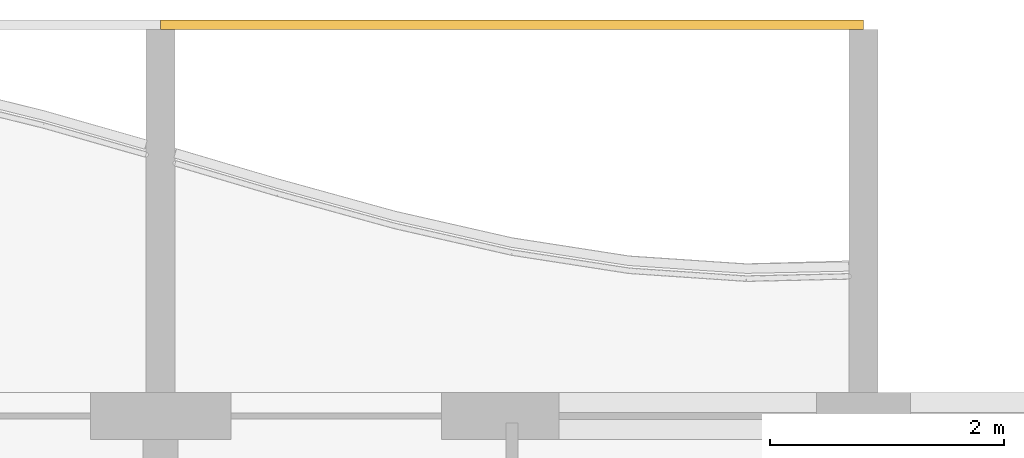
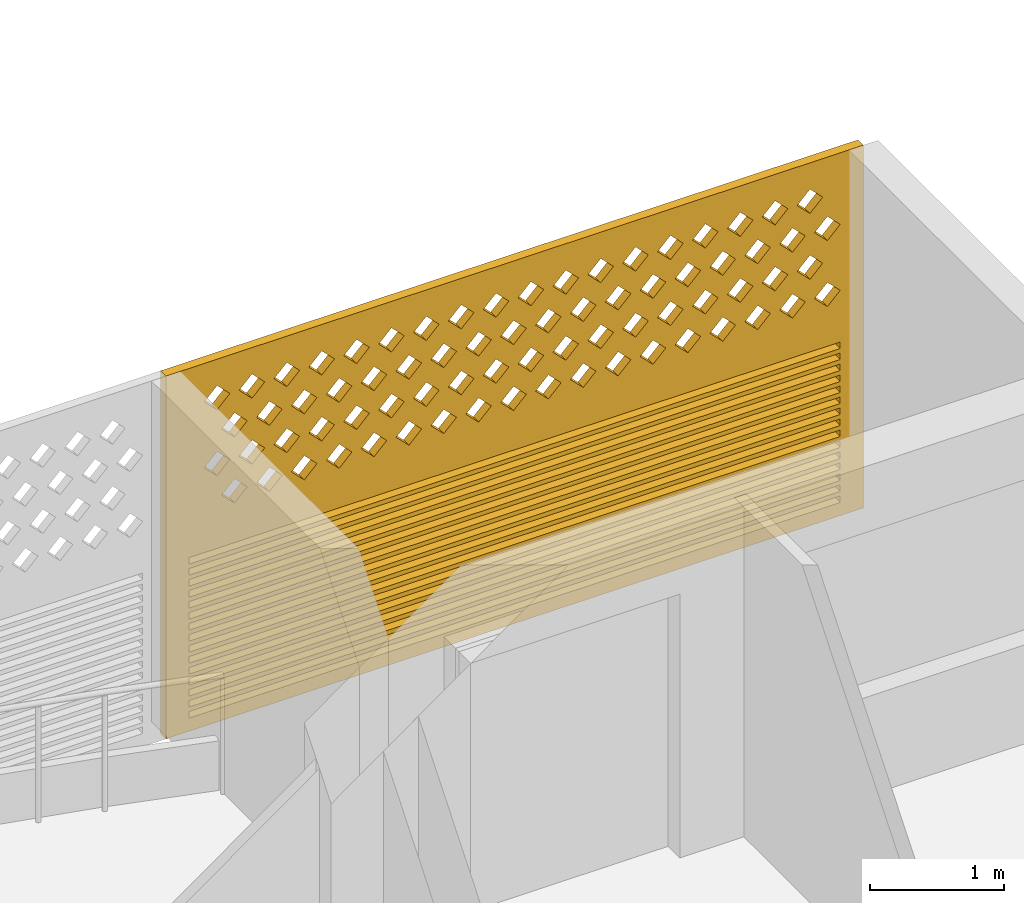
# One storey, part 22 of 32: 1 covering.
"""IFC4 building model written with IfcOpenShell, lengths in metres."""

from ifc_helpers import new_model, si_unit, direction, frame, origin, place, context, subcontext, project, spatial, polyline, outline, extrude, source, transform, mapped, material, material_profile, profile_set, type_object, element, save


model = new_model("IFC4")

# Units and contexts
model_context = context("Model", 3, precision=1e-05, world=origin(), true_north=direction((0.0, 1.0)))
body_context = subcontext(model_context, "Body", "Model", "MODEL_VIEW")
ifc_project = project(units=[si_unit("LENGTHUNIT", "METRE"), si_unit("AREAUNIT", "SQUARE_METRE"), si_unit("VOLUMEUNIT", "CUBIC_METRE"), si_unit("PLANEANGLEUNIT", "RADIAN"), si_unit("MASSUNIT", "GRAM", prefix="KILO")], contexts=[model_context])

# Site, building, storey
site_placement = place(None, origin())
site = spatial("IfcSite", under=ifc_project, at=site_placement, CompositionType="ELEMENT")
building_placement = place(site_placement, origin())
building = spatial("IfcBuilding", under=site, at=building_placement, Name="Poui Terraces", CompositionType="ELEMENT")
storey_placement = place(building_placement, frame((0.0, 0.0, 155.39990234375)))
storey = spatial("IfcBuildingStorey", under=building, at=storey_placement, Name="L43", CompositionType="ELEMENT", Elevation=155.39990234375)

# Covering
ifc_material = material(Name="Terracotta screen", Category="masonry")
ifc_material_profile = material_profile(ifc_material, outline(polyline([(-3.0, -1.64990234375), (3.0, -1.64990234375), (3.0, 1.64990234375), (-3.0, 1.64990234375), (-3.0, -1.64990234375)]), holes=[polyline([(-2.800048828125, 0.39990234375), (-2.68994140625, 0.2900390625), (-2.580078125, 0.39990234375), (-2.68994140625, 0.510009765625), (-2.800048828125, 0.39990234375)]), polyline([(-2.5, 0.39990234375), (-2.389892578125, 0.2900390625), (-2.280029296875, 0.39990234375), (-2.389892578125, 0.510009765625), (-2.5, 0.39990234375)]), polyline([(-2.199951171875, 0.39990234375), (-2.090087890625, 0.2900390625), (-1.97998046875, 0.39990234375), (-2.090087890625, 0.510009765625), (-2.199951171875, 0.39990234375)]), polyline([(-1.89990234375, 0.39990234375), (-1.7900390625, 0.2900390625), (-1.679931640625, 0.39990234375), (-1.7900390625, 0.510009765625), (-1.89990234375, 0.39990234375)]), polyline([(-1.60009765625, 0.39990234375), (-1.489990234375, 0.2900390625), (-1.3798828125, 0.39990234375), (-1.489990234375, 0.510009765625), (-1.60009765625, 0.39990234375)]), polyline([(-1.300048828125, 0.39990234375), (-1.18994140625, 0.2900390625), (-1.080078125, 0.39990234375), (-1.18994140625, 0.510009765625), (-1.300048828125, 0.39990234375)]), polyline([(-1.0, 0.39990234375), (-0.889892578125, 0.2900390625), (-0.780029296875, 0.39990234375), (-0.889892578125, 0.510009765625), (-1.0, 0.39990234375)]), polyline([(-0.699951171875, 0.39990234375), (-0.590087890625, 0.2900390625), (-0.47998046875, 0.39990234375), (-0.590087890625, 0.510009765625), (-0.699951171875, 0.39990234375)]), polyline([(-0.39990234375, 0.39990234375), (-0.2900390625, 0.2900390625), (-0.179931640625, 0.39990234375), (-0.2900390625, 0.510009765625), (-0.39990234375, 0.39990234375)]), polyline([(-0.10009765625, 0.39990234375), (0.010009765625, 0.2900390625), (0.1201171875, 0.39990234375), (0.010009765625, 0.510009765625), (-0.10009765625, 0.39990234375)]), polyline([(0.199951171875, 0.39990234375), (0.31005859375, 0.2900390625), (0.419921875, 0.39990234375), (0.31005859375, 0.510009765625), (0.199951171875, 0.39990234375)]), polyline([(0.5, 0.39990234375), (0.610107421875, 0.2900390625), (0.719970703125, 0.39990234375), (0.610107421875, 0.510009765625), (0.5, 0.39990234375)]), polyline([(0.800048828125, 0.39990234375), (0.909912109375, 0.2900390625), (1.02001953125, 0.39990234375), (0.909912109375, 0.510009765625), (0.800048828125, 0.39990234375)]), polyline([(1.10009765625, 0.39990234375), (1.2099609375, 0.2900390625), (1.320068359375, 0.39990234375), (1.2099609375, 0.510009765625), (1.10009765625, 0.39990234375)]), polyline([(1.39990234375, 0.39990234375), (1.510009765625, 0.2900390625), (1.6201171875, 0.39990234375), (1.510009765625, 0.510009765625), (1.39990234375, 0.39990234375)]), polyline([(1.699951171875, 0.39990234375), (1.81005859375, 0.2900390625), (1.919921875, 0.39990234375), (1.81005859375, 0.510009765625), (1.699951171875, 0.39990234375)]), polyline([(2.0, 0.39990234375), (2.110107421875, 0.2900390625), (2.219970703125, 0.39990234375), (2.110107421875, 0.510009765625), (2.0, 0.39990234375)]), polyline([(2.300048828125, 0.39990234375), (2.409912109375, 0.2900390625), (2.52001953125, 0.39990234375), (2.409912109375, 0.510009765625), (2.300048828125, 0.39990234375)]), polyline([(-2.64990234375, 0.699951171875), (-2.5400390625, 0.590087890625), (-2.429931640625, 0.699951171875), (-2.5400390625, 0.81005859375), (-2.64990234375, 0.699951171875)]), polyline([(-2.35009765625, 0.699951171875), (-2.239990234375, 0.590087890625), (-2.1298828125, 0.699951171875), (-2.239990234375, 0.81005859375), (-2.35009765625, 0.699951171875)]), polyline([(-2.050048828125, 0.699951171875), (-1.93994140625, 0.590087890625), (-1.830078125, 0.699951171875), (-1.93994140625, 0.81005859375), (-2.050048828125, 0.699951171875)]), polyline([(-1.75, 0.699951171875), (-1.639892578125, 0.590087890625), (-1.530029296875, 0.699951171875), (-1.639892578125, 0.81005859375), (-1.75, 0.699951171875)]), polyline([(-1.449951171875, 0.699951171875), (-1.340087890625, 0.590087890625), (-1.22998046875, 0.699951171875), (-1.340087890625, 0.81005859375), (-1.449951171875, 0.699951171875)]), polyline([(-1.14990234375, 0.699951171875), (-1.0400390625, 0.590087890625), (-0.929931640625, 0.699951171875), (-1.0400390625, 0.81005859375), (-1.14990234375, 0.699951171875)]), polyline([(-0.85009765625, 0.699951171875), (-0.739990234375, 0.590087890625), (-0.6298828125, 0.699951171875), (-0.739990234375, 0.81005859375), (-0.85009765625, 0.699951171875)]), polyline([(-0.550048828125, 0.699951171875), (-0.43994140625, 0.590087890625), (-0.330078125, 0.699951171875), (-0.43994140625, 0.81005859375), (-0.550048828125, 0.699951171875)]), polyline([(-0.25, 0.699951171875), (-0.139892578125, 0.590087890625), (-0.030029296875, 0.699951171875), (-0.139892578125, 0.81005859375), (-0.25, 0.699951171875)]), polyline([(0.050048828125, 0.699951171875), (0.159912109375, 0.590087890625), (0.27001953125, 0.699951171875), (0.159912109375, 0.81005859375), (0.050048828125, 0.699951171875)]), polyline([(0.35009765625, 0.699951171875), (0.4599609375, 0.590087890625), (0.570068359375, 0.699951171875), (0.4599609375, 0.81005859375), (0.35009765625, 0.699951171875)]), polyline([(0.64990234375, 0.699951171875), (0.760009765625, 0.590087890625), (0.8701171875, 0.699951171875), (0.760009765625, 0.81005859375), (0.64990234375, 0.699951171875)]), polyline([(0.949951171875, 0.699951171875), (1.06005859375, 0.590087890625), (1.169921875, 0.699951171875), (1.06005859375, 0.81005859375), (0.949951171875, 0.699951171875)]), polyline([(1.25, 0.699951171875), (1.360107421875, 0.590087890625), (1.469970703125, 0.699951171875), (1.360107421875, 0.81005859375), (1.25, 0.699951171875)]), polyline([(1.550048828125, 0.699951171875), (1.659912109375, 0.590087890625), (1.77001953125, 0.699951171875), (1.659912109375, 0.81005859375), (1.550048828125, 0.699951171875)]), polyline([(1.85009765625, 0.699951171875), (1.9599609375, 0.590087890625), (2.070068359375, 0.699951171875), (1.9599609375, 0.81005859375), (1.85009765625, 0.699951171875)]), polyline([(2.14990234375, 0.699951171875), (2.260009765625, 0.590087890625), (2.3701171875, 0.699951171875), (2.260009765625, 0.81005859375), (2.14990234375, 0.699951171875)]), polyline([(2.449951171875, 0.699951171875), (2.56005859375, 0.590087890625), (2.669921875, 0.699951171875), (2.56005859375, 0.81005859375), (2.449951171875, 0.699951171875)]), polyline([(-2.800048828125, 1.0), (-2.68994140625, 0.889892578125), (-2.580078125, 1.0), (-2.68994140625, 1.110107421875), (-2.800048828125, 1.0)]), polyline([(-2.5, 1.0), (-2.389892578125, 0.889892578125), (-2.280029296875, 1.0), (-2.389892578125, 1.110107421875), (-2.5, 1.0)]), polyline([(-2.199951171875, 1.0), (-2.090087890625, 0.889892578125), (-1.97998046875, 1.0), (-2.090087890625, 1.110107421875), (-2.199951171875, 1.0)]), polyline([(-1.89990234375, 1.0), (-1.7900390625, 0.889892578125), (-1.679931640625, 1.0), (-1.7900390625, 1.110107421875), (-1.89990234375, 1.0)]), polyline([(-1.60009765625, 1.0), (-1.489990234375, 0.889892578125), (-1.3798828125, 1.0), (-1.489990234375, 1.110107421875), (-1.60009765625, 1.0)]), polyline([(-1.300048828125, 1.0), (-1.18994140625, 0.889892578125), (-1.080078125, 1.0), (-1.18994140625, 1.110107421875), (-1.300048828125, 1.0)]), polyline([(-1.0, 1.0), (-0.889892578125, 0.889892578125), (-0.780029296875, 1.0), (-0.889892578125, 1.110107421875), (-1.0, 1.0)]), polyline([(-0.699951171875, 1.0), (-0.590087890625, 0.889892578125), (-0.47998046875, 1.0), (-0.590087890625, 1.110107421875), (-0.699951171875, 1.0)]), polyline([(-0.39990234375, 1.0), (-0.2900390625, 0.889892578125), (-0.179931640625, 1.0), (-0.2900390625, 1.110107421875), (-0.39990234375, 1.0)]), polyline([(-0.10009765625, 1.0), (0.010009765625, 0.889892578125), (0.1201171875, 1.0), (0.010009765625, 1.110107421875), (-0.10009765625, 1.0)]), polyline([(0.199951171875, 1.0), (0.31005859375, 0.889892578125), (0.419921875, 1.0), (0.31005859375, 1.110107421875), (0.199951171875, 1.0)]), polyline([(0.5, 1.0), (0.610107421875, 0.889892578125), (0.719970703125, 1.0), (0.610107421875, 1.110107421875), (0.5, 1.0)]), polyline([(0.800048828125, 1.0), (0.909912109375, 0.889892578125), (1.02001953125, 1.0), (0.909912109375, 1.110107421875), (0.800048828125, 1.0)]), polyline([(1.10009765625, 1.0), (1.2099609375, 0.889892578125), (1.320068359375, 1.0), (1.2099609375, 1.110107421875), (1.10009765625, 1.0)]), polyline([(1.39990234375, 1.0), (1.510009765625, 0.889892578125), (1.6201171875, 1.0), (1.510009765625, 1.110107421875), (1.39990234375, 1.0)]), polyline([(1.699951171875, 1.0), (1.81005859375, 0.889892578125), (1.919921875, 1.0), (1.81005859375, 1.110107421875), (1.699951171875, 1.0)]), polyline([(2.0, 1.0), (2.110107421875, 0.889892578125), (2.219970703125, 1.0), (2.110107421875, 1.110107421875), (2.0, 1.0)]), polyline([(2.300048828125, 1.0), (2.409912109375, 0.889892578125), (2.52001953125, 1.0), (2.409912109375, 1.110107421875), (2.300048828125, 1.0)]), polyline([(-2.64990234375, 1.300048828125), (-2.5400390625, 1.18994140625), (-2.429931640625, 1.300048828125), (-2.5400390625, 1.409912109375), (-2.64990234375, 1.300048828125)]), polyline([(-2.35009765625, 1.300048828125), (-2.239990234375, 1.18994140625), (-2.1298828125, 1.300048828125), (-2.239990234375, 1.409912109375), (-2.35009765625, 1.300048828125)]), polyline([(-2.050048828125, 1.300048828125), (-1.93994140625, 1.18994140625), (-1.830078125, 1.300048828125), (-1.93994140625, 1.409912109375), (-2.050048828125, 1.300048828125)]), polyline([(-1.75, 1.300048828125), (-1.639892578125, 1.18994140625), (-1.530029296875, 1.300048828125), (-1.639892578125, 1.409912109375), (-1.75, 1.300048828125)]), polyline([(-1.449951171875, 1.300048828125), (-1.340087890625, 1.18994140625), (-1.22998046875, 1.300048828125), (-1.340087890625, 1.409912109375), (-1.449951171875, 1.300048828125)]), polyline([(-1.14990234375, 1.300048828125), (-1.0400390625, 1.18994140625), (-0.929931640625, 1.300048828125), (-1.0400390625, 1.409912109375), (-1.14990234375, 1.300048828125)]), polyline([(-0.85009765625, 1.300048828125), (-0.739990234375, 1.18994140625), (-0.6298828125, 1.300048828125), (-0.739990234375, 1.409912109375), (-0.85009765625, 1.300048828125)]), polyline([(-0.550048828125, 1.300048828125), (-0.43994140625, 1.18994140625), (-0.330078125, 1.300048828125), (-0.43994140625, 1.409912109375), (-0.550048828125, 1.300048828125)]), polyline([(-0.25, 1.300048828125), (-0.139892578125, 1.18994140625), (-0.030029296875, 1.300048828125), (-0.139892578125, 1.409912109375), (-0.25, 1.300048828125)]), polyline([(0.050048828125, 1.300048828125), (0.159912109375, 1.18994140625), (0.27001953125, 1.300048828125), (0.159912109375, 1.409912109375), (0.050048828125, 1.300048828125)]), polyline([(0.35009765625, 1.300048828125), (0.4599609375, 1.18994140625), (0.570068359375, 1.300048828125), (0.4599609375, 1.409912109375), (0.35009765625, 1.300048828125)]), polyline([(0.64990234375, 1.300048828125), (0.760009765625, 1.18994140625), (0.8701171875, 1.300048828125), (0.760009765625, 1.409912109375), (0.64990234375, 1.300048828125)]), polyline([(0.949951171875, 1.300048828125), (1.06005859375, 1.18994140625), (1.169921875, 1.300048828125), (1.06005859375, 1.409912109375), (0.949951171875, 1.300048828125)]), polyline([(1.25, 1.300048828125), (1.360107421875, 1.18994140625), (1.469970703125, 1.300048828125), (1.360107421875, 1.409912109375), (1.25, 1.300048828125)]), polyline([(1.550048828125, 1.300048828125), (1.659912109375, 1.18994140625), (1.77001953125, 1.300048828125), (1.659912109375, 1.409912109375), (1.550048828125, 1.300048828125)]), polyline([(1.85009765625, 1.300048828125), (1.9599609375, 1.18994140625), (2.070068359375, 1.300048828125), (1.9599609375, 1.409912109375), (1.85009765625, 1.300048828125)]), polyline([(2.14990234375, 1.300048828125), (2.260009765625, 1.18994140625), (2.3701171875, 1.300048828125), (2.260009765625, 1.409912109375), (2.14990234375, 1.300048828125)]), polyline([(2.449951171875, 1.300048828125), (2.56005859375, 1.18994140625), (2.669921875, 1.300048828125), (2.56005859375, 1.409912109375), (2.449951171875, 1.300048828125)]), polyline([(-2.800048828125, -1.530029296875), (2.800048828125, -1.530029296875), (2.800048828125, -1.469970703125), (-2.800048828125, -1.469970703125), (-2.800048828125, -1.530029296875)]), polyline([(-2.800048828125, -1.429931640625), (2.800048828125, -1.429931640625), (2.800048828125, -1.3701171875), (-2.800048828125, -1.3701171875), (-2.800048828125, -1.429931640625)]), polyline([(-2.800048828125, -1.330078125), (2.800048828125, -1.330078125), (2.800048828125, -1.27001953125), (-2.800048828125, -1.27001953125), (-2.800048828125, -1.330078125)]), polyline([(-2.800048828125, -1.22998046875), (2.800048828125, -1.22998046875), (2.800048828125, -1.169921875), (-2.800048828125, -1.169921875), (-2.800048828125, -1.22998046875)]), polyline([(-2.800048828125, -1.1298828125), (2.800048828125, -1.1298828125), (2.800048828125, -1.070068359375), (-2.800048828125, -1.070068359375), (-2.800048828125, -1.1298828125)]), polyline([(-2.800048828125, -1.030029296875), (2.800048828125, -1.030029296875), (2.800048828125, -0.969970703125), (-2.800048828125, -0.969970703125), (-2.800048828125, -1.030029296875)]), polyline([(-2.800048828125, -0.929931640625), (2.800048828125, -0.929931640625), (2.800048828125, -0.8701171875), (-2.800048828125, -0.8701171875), (-2.800048828125, -0.929931640625)]), polyline([(-2.800048828125, -0.830078125), (2.800048828125, -0.830078125), (2.800048828125, -0.77001953125), (-2.800048828125, -0.77001953125), (-2.800048828125, -0.830078125)]), polyline([(-2.800048828125, -0.72998046875), (2.800048828125, -0.72998046875), (2.800048828125, -0.669921875), (-2.800048828125, -0.669921875), (-2.800048828125, -0.72998046875)]), polyline([(-2.800048828125, -0.6298828125), (2.800048828125, -0.6298828125), (2.800048828125, -0.570068359375), (-2.800048828125, -0.570068359375), (-2.800048828125, -0.6298828125)]), polyline([(-2.800048828125, -0.530029296875), (2.800048828125, -0.530029296875), (2.800048828125, -0.469970703125), (-2.800048828125, -0.469970703125), (-2.800048828125, -0.530029296875)]), polyline([(-2.800048828125, -0.429931640625), (2.800048828125, -0.429931640625), (2.800048828125, -0.3701171875), (-2.800048828125, -0.3701171875), (-2.800048828125, -0.429931640625)]), polyline([(-2.800048828125, -0.330078125), (2.800048828125, -0.330078125), (2.800048828125, -0.27001953125), (-2.800048828125, -0.27001953125), (-2.800048828125, -0.330078125)]), polyline([(-2.800048828125, -0.22998046875), (2.800048828125, -0.22998046875), (2.800048828125, -0.169921875), (-2.800048828125, -0.169921875), (-2.800048828125, -0.22998046875)]), polyline([(-2.800048828125, -0.1298828125), (2.800048828125, -0.1298828125), (2.800048828125, -0.070068359375), (-2.800048828125, -0.070068359375), (-2.800048828125, -0.1298828125)])]), Name="TERRACOTTA SCREEN AND JALOUSIE LOUVRE 6000X3300")
ifc_profile_set = profile_set([ifc_material_profile], Name="Terracotta screen")
covering_type = type_object("IfcCoveringType", Name="TERRACOTTA SCREEN AND JALOUSIE LOUVRE 6000X3300", PredefinedType="CLADDING", material=ifc_profile_set)
shared_shape = source(origin(), body_context, "Body", "SweptSolid", [
    extrude(outline(polyline([(-3.0, -1.64990234375), (3.0, -1.64990234375), (3.0, 1.64990234375), (-3.0, 1.64990234375), (-3.0, -1.64990234375)]), holes=[polyline([(-2.800048828125, 0.39990234375), (-2.68994140625, 0.2900390625), (-2.580078125, 0.39990234375), (-2.68994140625, 0.510009765625), (-2.800048828125, 0.39990234375)]), polyline([(-2.5, 0.39990234375), (-2.389892578125, 0.2900390625), (-2.280029296875, 0.39990234375), (-2.389892578125, 0.510009765625), (-2.5, 0.39990234375)]), polyline([(-2.199951171875, 0.39990234375), (-2.090087890625, 0.2900390625), (-1.97998046875, 0.39990234375), (-2.090087890625, 0.510009765625), (-2.199951171875, 0.39990234375)]), polyline([(-1.89990234375, 0.39990234375), (-1.7900390625, 0.2900390625), (-1.679931640625, 0.39990234375), (-1.7900390625, 0.510009765625), (-1.89990234375, 0.39990234375)]), polyline([(-1.60009765625, 0.39990234375), (-1.489990234375, 0.2900390625), (-1.3798828125, 0.39990234375), (-1.489990234375, 0.510009765625), (-1.60009765625, 0.39990234375)]), polyline([(-1.300048828125, 0.39990234375), (-1.18994140625, 0.2900390625), (-1.080078125, 0.39990234375), (-1.18994140625, 0.510009765625), (-1.300048828125, 0.39990234375)]), polyline([(-1.0, 0.39990234375), (-0.889892578125, 0.2900390625), (-0.780029296875, 0.39990234375), (-0.889892578125, 0.510009765625), (-1.0, 0.39990234375)]), polyline([(-0.699951171875, 0.39990234375), (-0.590087890625, 0.2900390625), (-0.47998046875, 0.39990234375), (-0.590087890625, 0.510009765625), (-0.699951171875, 0.39990234375)]), polyline([(-0.39990234375, 0.39990234375), (-0.2900390625, 0.2900390625), (-0.179931640625, 0.39990234375), (-0.2900390625, 0.510009765625), (-0.39990234375, 0.39990234375)]), polyline([(-0.10009765625, 0.39990234375), (0.010009765625, 0.2900390625), (0.1201171875, 0.39990234375), (0.010009765625, 0.510009765625), (-0.10009765625, 0.39990234375)]), polyline([(0.199951171875, 0.39990234375), (0.31005859375, 0.2900390625), (0.419921875, 0.39990234375), (0.31005859375, 0.510009765625), (0.199951171875, 0.39990234375)]), polyline([(0.5, 0.39990234375), (0.610107421875, 0.2900390625), (0.719970703125, 0.39990234375), (0.610107421875, 0.510009765625), (0.5, 0.39990234375)]), polyline([(0.800048828125, 0.39990234375), (0.909912109375, 0.2900390625), (1.02001953125, 0.39990234375), (0.909912109375, 0.510009765625), (0.800048828125, 0.39990234375)]), polyline([(1.10009765625, 0.39990234375), (1.2099609375, 0.2900390625), (1.320068359375, 0.39990234375), (1.2099609375, 0.510009765625), (1.10009765625, 0.39990234375)]), polyline([(1.39990234375, 0.39990234375), (1.510009765625, 0.2900390625), (1.6201171875, 0.39990234375), (1.510009765625, 0.510009765625), (1.39990234375, 0.39990234375)]), polyline([(1.699951171875, 0.39990234375), (1.81005859375, 0.2900390625), (1.919921875, 0.39990234375), (1.81005859375, 0.510009765625), (1.699951171875, 0.39990234375)]), polyline([(2.0, 0.39990234375), (2.110107421875, 0.2900390625), (2.219970703125, 0.39990234375), (2.110107421875, 0.510009765625), (2.0, 0.39990234375)]), polyline([(2.300048828125, 0.39990234375), (2.409912109375, 0.2900390625), (2.52001953125, 0.39990234375), (2.409912109375, 0.510009765625), (2.300048828125, 0.39990234375)]), polyline([(-2.64990234375, 0.699951171875), (-2.5400390625, 0.590087890625), (-2.429931640625, 0.699951171875), (-2.5400390625, 0.81005859375), (-2.64990234375, 0.699951171875)]), polyline([(-2.35009765625, 0.699951171875), (-2.239990234375, 0.590087890625), (-2.1298828125, 0.699951171875), (-2.239990234375, 0.81005859375), (-2.35009765625, 0.699951171875)]), polyline([(-2.050048828125, 0.699951171875), (-1.93994140625, 0.590087890625), (-1.830078125, 0.699951171875), (-1.93994140625, 0.81005859375), (-2.050048828125, 0.699951171875)]), polyline([(-1.75, 0.699951171875), (-1.639892578125, 0.590087890625), (-1.530029296875, 0.699951171875), (-1.639892578125, 0.81005859375), (-1.75, 0.699951171875)]), polyline([(-1.449951171875, 0.699951171875), (-1.340087890625, 0.590087890625), (-1.22998046875, 0.699951171875), (-1.340087890625, 0.81005859375), (-1.449951171875, 0.699951171875)]), polyline([(-1.14990234375, 0.699951171875), (-1.0400390625, 0.590087890625), (-0.929931640625, 0.699951171875), (-1.0400390625, 0.81005859375), (-1.14990234375, 0.699951171875)]), polyline([(-0.85009765625, 0.699951171875), (-0.739990234375, 0.590087890625), (-0.6298828125, 0.699951171875), (-0.739990234375, 0.81005859375), (-0.85009765625, 0.699951171875)]), polyline([(-0.550048828125, 0.699951171875), (-0.43994140625, 0.590087890625), (-0.330078125, 0.699951171875), (-0.43994140625, 0.81005859375), (-0.550048828125, 0.699951171875)]), polyline([(-0.25, 0.699951171875), (-0.139892578125, 0.590087890625), (-0.030029296875, 0.699951171875), (-0.139892578125, 0.81005859375), (-0.25, 0.699951171875)]), polyline([(0.050048828125, 0.699951171875), (0.159912109375, 0.590087890625), (0.27001953125, 0.699951171875), (0.159912109375, 0.81005859375), (0.050048828125, 0.699951171875)]), polyline([(0.35009765625, 0.699951171875), (0.4599609375, 0.590087890625), (0.570068359375, 0.699951171875), (0.4599609375, 0.81005859375), (0.35009765625, 0.699951171875)]), polyline([(0.64990234375, 0.699951171875), (0.760009765625, 0.590087890625), (0.8701171875, 0.699951171875), (0.760009765625, 0.81005859375), (0.64990234375, 0.699951171875)]), polyline([(0.949951171875, 0.699951171875), (1.06005859375, 0.590087890625), (1.169921875, 0.699951171875), (1.06005859375, 0.81005859375), (0.949951171875, 0.699951171875)]), polyline([(1.25, 0.699951171875), (1.360107421875, 0.590087890625), (1.469970703125, 0.699951171875), (1.360107421875, 0.81005859375), (1.25, 0.699951171875)]), polyline([(1.550048828125, 0.699951171875), (1.659912109375, 0.590087890625), (1.77001953125, 0.699951171875), (1.659912109375, 0.81005859375), (1.550048828125, 0.699951171875)]), polyline([(1.85009765625, 0.699951171875), (1.9599609375, 0.590087890625), (2.070068359375, 0.699951171875), (1.9599609375, 0.81005859375), (1.85009765625, 0.699951171875)]), polyline([(2.14990234375, 0.699951171875), (2.260009765625, 0.590087890625), (2.3701171875, 0.699951171875), (2.260009765625, 0.81005859375), (2.14990234375, 0.699951171875)]), polyline([(2.449951171875, 0.699951171875), (2.56005859375, 0.590087890625), (2.669921875, 0.699951171875), (2.56005859375, 0.81005859375), (2.449951171875, 0.699951171875)]), polyline([(-2.800048828125, 1.0), (-2.68994140625, 0.889892578125), (-2.580078125, 1.0), (-2.68994140625, 1.110107421875), (-2.800048828125, 1.0)]), polyline([(-2.5, 1.0), (-2.389892578125, 0.889892578125), (-2.280029296875, 1.0), (-2.389892578125, 1.110107421875), (-2.5, 1.0)]), polyline([(-2.199951171875, 1.0), (-2.090087890625, 0.889892578125), (-1.97998046875, 1.0), (-2.090087890625, 1.110107421875), (-2.199951171875, 1.0)]), polyline([(-1.89990234375, 1.0), (-1.7900390625, 0.889892578125), (-1.679931640625, 1.0), (-1.7900390625, 1.110107421875), (-1.89990234375, 1.0)]), polyline([(-1.60009765625, 1.0), (-1.489990234375, 0.889892578125), (-1.3798828125, 1.0), (-1.489990234375, 1.110107421875), (-1.60009765625, 1.0)]), polyline([(-1.300048828125, 1.0), (-1.18994140625, 0.889892578125), (-1.080078125, 1.0), (-1.18994140625, 1.110107421875), (-1.300048828125, 1.0)]), polyline([(-1.0, 1.0), (-0.889892578125, 0.889892578125), (-0.780029296875, 1.0), (-0.889892578125, 1.110107421875), (-1.0, 1.0)]), polyline([(-0.699951171875, 1.0), (-0.590087890625, 0.889892578125), (-0.47998046875, 1.0), (-0.590087890625, 1.110107421875), (-0.699951171875, 1.0)]), polyline([(-0.39990234375, 1.0), (-0.2900390625, 0.889892578125), (-0.179931640625, 1.0), (-0.2900390625, 1.110107421875), (-0.39990234375, 1.0)]), polyline([(-0.10009765625, 1.0), (0.010009765625, 0.889892578125), (0.1201171875, 1.0), (0.010009765625, 1.110107421875), (-0.10009765625, 1.0)]), polyline([(0.199951171875, 1.0), (0.31005859375, 0.889892578125), (0.419921875, 1.0), (0.31005859375, 1.110107421875), (0.199951171875, 1.0)]), polyline([(0.5, 1.0), (0.610107421875, 0.889892578125), (0.719970703125, 1.0), (0.610107421875, 1.110107421875), (0.5, 1.0)]), polyline([(0.800048828125, 1.0), (0.909912109375, 0.889892578125), (1.02001953125, 1.0), (0.909912109375, 1.110107421875), (0.800048828125, 1.0)]), polyline([(1.10009765625, 1.0), (1.2099609375, 0.889892578125), (1.320068359375, 1.0), (1.2099609375, 1.110107421875), (1.10009765625, 1.0)]), polyline([(1.39990234375, 1.0), (1.510009765625, 0.889892578125), (1.6201171875, 1.0), (1.510009765625, 1.110107421875), (1.39990234375, 1.0)]), polyline([(1.699951171875, 1.0), (1.81005859375, 0.889892578125), (1.919921875, 1.0), (1.81005859375, 1.110107421875), (1.699951171875, 1.0)]), polyline([(2.0, 1.0), (2.110107421875, 0.889892578125), (2.219970703125, 1.0), (2.110107421875, 1.110107421875), (2.0, 1.0)]), polyline([(2.300048828125, 1.0), (2.409912109375, 0.889892578125), (2.52001953125, 1.0), (2.409912109375, 1.110107421875), (2.300048828125, 1.0)]), polyline([(-2.64990234375, 1.300048828125), (-2.5400390625, 1.18994140625), (-2.429931640625, 1.300048828125), (-2.5400390625, 1.409912109375), (-2.64990234375, 1.300048828125)]), polyline([(-2.35009765625, 1.300048828125), (-2.239990234375, 1.18994140625), (-2.1298828125, 1.300048828125), (-2.239990234375, 1.409912109375), (-2.35009765625, 1.300048828125)]), polyline([(-2.050048828125, 1.300048828125), (-1.93994140625, 1.18994140625), (-1.830078125, 1.300048828125), (-1.93994140625, 1.409912109375), (-2.050048828125, 1.300048828125)]), polyline([(-1.75, 1.300048828125), (-1.639892578125, 1.18994140625), (-1.530029296875, 1.300048828125), (-1.639892578125, 1.409912109375), (-1.75, 1.300048828125)]), polyline([(-1.449951171875, 1.300048828125), (-1.340087890625, 1.18994140625), (-1.22998046875, 1.300048828125), (-1.340087890625, 1.409912109375), (-1.449951171875, 1.300048828125)]), polyline([(-1.14990234375, 1.300048828125), (-1.0400390625, 1.18994140625), (-0.929931640625, 1.300048828125), (-1.0400390625, 1.409912109375), (-1.14990234375, 1.300048828125)]), polyline([(-0.85009765625, 1.300048828125), (-0.739990234375, 1.18994140625), (-0.6298828125, 1.300048828125), (-0.739990234375, 1.409912109375), (-0.85009765625, 1.300048828125)]), polyline([(-0.550048828125, 1.300048828125), (-0.43994140625, 1.18994140625), (-0.330078125, 1.300048828125), (-0.43994140625, 1.409912109375), (-0.550048828125, 1.300048828125)]), polyline([(-0.25, 1.300048828125), (-0.139892578125, 1.18994140625), (-0.030029296875, 1.300048828125), (-0.139892578125, 1.409912109375), (-0.25, 1.300048828125)]), polyline([(0.050048828125, 1.300048828125), (0.159912109375, 1.18994140625), (0.27001953125, 1.300048828125), (0.159912109375, 1.409912109375), (0.050048828125, 1.300048828125)]), polyline([(0.35009765625, 1.300048828125), (0.4599609375, 1.18994140625), (0.570068359375, 1.300048828125), (0.4599609375, 1.409912109375), (0.35009765625, 1.300048828125)]), polyline([(0.64990234375, 1.300048828125), (0.760009765625, 1.18994140625), (0.8701171875, 1.300048828125), (0.760009765625, 1.409912109375), (0.64990234375, 1.300048828125)]), polyline([(0.949951171875, 1.300048828125), (1.06005859375, 1.18994140625), (1.169921875, 1.300048828125), (1.06005859375, 1.409912109375), (0.949951171875, 1.300048828125)]), polyline([(1.25, 1.300048828125), (1.360107421875, 1.18994140625), (1.469970703125, 1.300048828125), (1.360107421875, 1.409912109375), (1.25, 1.300048828125)]), polyline([(1.550048828125, 1.300048828125), (1.659912109375, 1.18994140625), (1.77001953125, 1.300048828125), (1.659912109375, 1.409912109375), (1.550048828125, 1.300048828125)]), polyline([(1.85009765625, 1.300048828125), (1.9599609375, 1.18994140625), (2.070068359375, 1.300048828125), (1.9599609375, 1.409912109375), (1.85009765625, 1.300048828125)]), polyline([(2.14990234375, 1.300048828125), (2.260009765625, 1.18994140625), (2.3701171875, 1.300048828125), (2.260009765625, 1.409912109375), (2.14990234375, 1.300048828125)]), polyline([(2.449951171875, 1.300048828125), (2.56005859375, 1.18994140625), (2.669921875, 1.300048828125), (2.56005859375, 1.409912109375), (2.449951171875, 1.300048828125)]), polyline([(-2.800048828125, -1.530029296875), (2.800048828125, -1.530029296875), (2.800048828125, -1.469970703125), (-2.800048828125, -1.469970703125), (-2.800048828125, -1.530029296875)]), polyline([(-2.800048828125, -1.429931640625), (2.800048828125, -1.429931640625), (2.800048828125, -1.3701171875), (-2.800048828125, -1.3701171875), (-2.800048828125, -1.429931640625)]), polyline([(-2.800048828125, -1.330078125), (2.800048828125, -1.330078125), (2.800048828125, -1.27001953125), (-2.800048828125, -1.27001953125), (-2.800048828125, -1.330078125)]), polyline([(-2.800048828125, -1.22998046875), (2.800048828125, -1.22998046875), (2.800048828125, -1.169921875), (-2.800048828125, -1.169921875), (-2.800048828125, -1.22998046875)]), polyline([(-2.800048828125, -1.1298828125), (2.800048828125, -1.1298828125), (2.800048828125, -1.070068359375), (-2.800048828125, -1.070068359375), (-2.800048828125, -1.1298828125)]), polyline([(-2.800048828125, -1.030029296875), (2.800048828125, -1.030029296875), (2.800048828125, -0.969970703125), (-2.800048828125, -0.969970703125), (-2.800048828125, -1.030029296875)]), polyline([(-2.800048828125, -0.929931640625), (2.800048828125, -0.929931640625), (2.800048828125, -0.8701171875), (-2.800048828125, -0.8701171875), (-2.800048828125, -0.929931640625)]), polyline([(-2.800048828125, -0.830078125), (2.800048828125, -0.830078125), (2.800048828125, -0.77001953125), (-2.800048828125, -0.77001953125), (-2.800048828125, -0.830078125)]), polyline([(-2.800048828125, -0.72998046875), (2.800048828125, -0.72998046875), (2.800048828125, -0.669921875), (-2.800048828125, -0.669921875), (-2.800048828125, -0.72998046875)]), polyline([(-2.800048828125, -0.6298828125), (2.800048828125, -0.6298828125), (2.800048828125, -0.570068359375), (-2.800048828125, -0.570068359375), (-2.800048828125, -0.6298828125)]), polyline([(-2.800048828125, -0.530029296875), (2.800048828125, -0.530029296875), (2.800048828125, -0.469970703125), (-2.800048828125, -0.469970703125), (-2.800048828125, -0.530029296875)]), polyline([(-2.800048828125, -0.429931640625), (2.800048828125, -0.429931640625), (2.800048828125, -0.3701171875), (-2.800048828125, -0.3701171875), (-2.800048828125, -0.429931640625)]), polyline([(-2.800048828125, -0.330078125), (2.800048828125, -0.330078125), (2.800048828125, -0.27001953125), (-2.800048828125, -0.27001953125), (-2.800048828125, -0.330078125)]), polyline([(-2.800048828125, -0.22998046875), (2.800048828125, -0.22998046875), (2.800048828125, -0.169921875), (-2.800048828125, -0.169921875), (-2.800048828125, -0.22998046875)]), polyline([(-2.800048828125, -0.1298828125), (2.800048828125, -0.1298828125), (2.800048828125, -0.070068359375), (-2.800048828125, -0.070068359375), (-2.800048828125, -0.1298828125)])]), origin(), (0.0, 0.0, 1.0), 0.080078125),
])
covering_placement = place(storey_placement, frame((33.0, 45.699951171875, 1.4501953125), z_axis=(0.0, 1.0, 0.0), x_axis=(-1.0, 0.0, 0.0)))
element("IfcCovering", 1, at=covering_placement, inside=storey, type_object=covering_type, Name="SOLAR SCREEN AND JALOUSIE LOUVRE", PredefinedType="CLADDING", context=body_context, shape_type="MappedRepresentation", body=[
    mapped(shared_shape, transform((0.0, 0.0, 0.0))),
])

save(model, "model.ifc")
